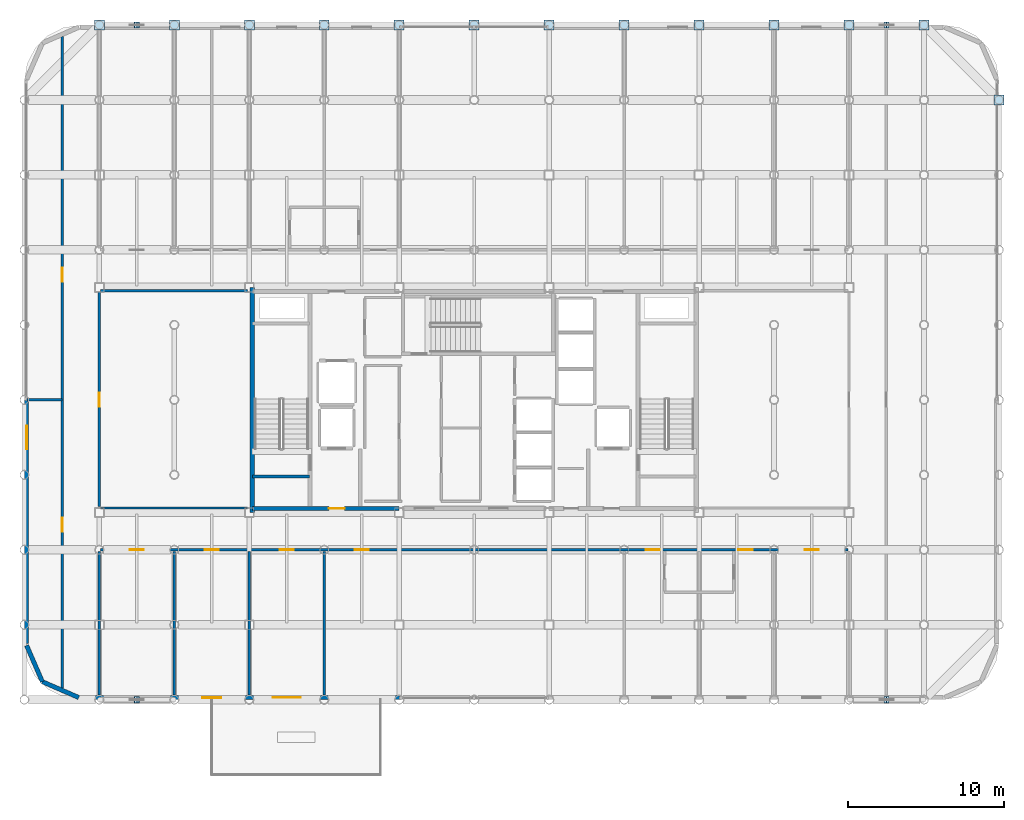
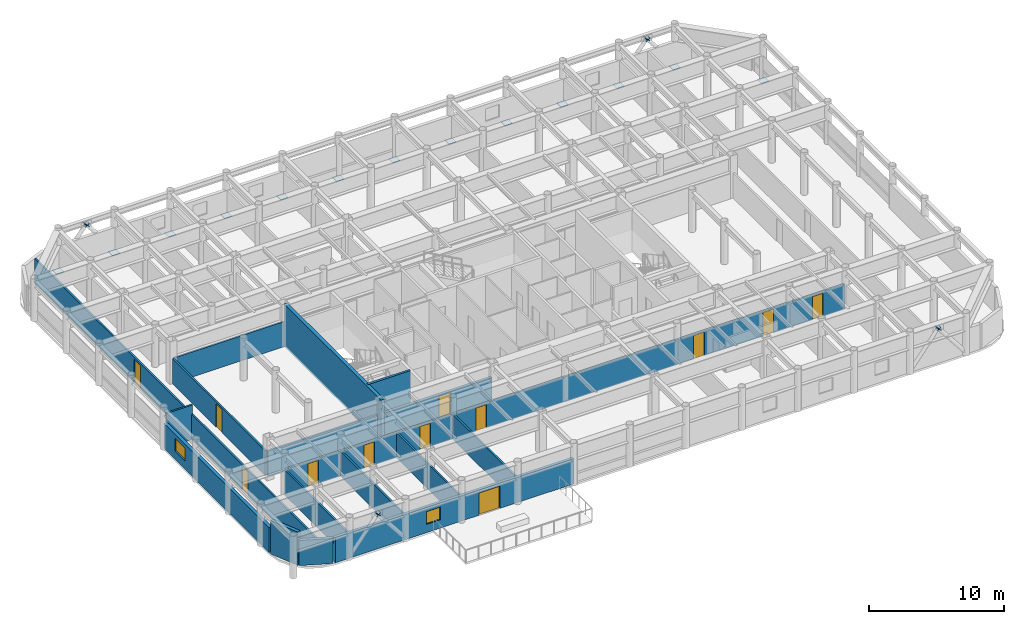
# One storey, part 20 of 26: 21 plates, 17 walls, 12 doors, 2 windows, 14 openings.
"""IFC4 building model written with IfcOpenShell, lengths in metres."""

from ifc_helpers import new_model, si_unit, direction, frame, frame_2d, origin, origin_2d, place, context, subcontext, project, spatial, polyline, rectangle, outline, extrude, material, layer, layer_set, type_object, element, fill, save


model = new_model("IFC4")

# Units and contexts
model_context = context("Model", 3, precision=1e-05, world=origin(), true_north=direction((0.0, 1.0)))
body_context = subcontext(model_context, "Body", "Model", "MODEL_VIEW")
ifc_project = project(units=[si_unit("LENGTHUNIT", "METRE"), si_unit("AREAUNIT", "SQUARE_METRE"), si_unit("VOLUMEUNIT", "CUBIC_METRE"), si_unit("PLANEANGLEUNIT", "RADIAN"), si_unit("MASSUNIT", "GRAM", prefix="KILO")], contexts=[model_context])

# Site, building, storey
site_placement = place(None, origin())
site = spatial("IfcSite", under=ifc_project, at=site_placement, CompositionType="ELEMENT")
building_placement = place(site_placement, origin())
building = spatial("IfcBuilding", under=site, at=building_placement, Name="Kallvorn Hotel Tower", CompositionType="ELEMENT")
storey_placement = place(building_placement, frame((0.0, 0.0, 222.300048828125)))
storey = spatial("IfcBuildingStorey", under=building, at=storey_placement, Name="L55", CompositionType="ELEMENT", Elevation=222.300048828125)

# Plates
ifc_material_1 = material(Name="Structural steel S355JR", Category="steel")
ifc_layer_1 = layer(ifc_material_1, 0.030029296875)
ifc_layer_set_1 = layer_set([ifc_layer_1], Name="PLT_CAP_30")
plate_type = type_object("IfcPlateType", Name="PLT_CAP_30", PredefinedType="SHEET", material=ifc_layer_set_1)
for number, where, z_axis, x_axis, name in (
    (1, (-24.0, 24.0, -0.2099609375), (0.0, 0.0, 1.0), (1.0, 0.0, 0.0), "L55 Hollow Column Base End Cap Plate 0256"),
    (2, (-19.199951171875, 24.0, -0.2099609375), (0.0, 0.0, 1.0), (1.0, 0.0, 0.0), "L55 Hollow Column Base End Cap Plate 0257"),
    (3, (-14.39990234375, 24.0, -0.2099609375), (0.0, 0.0, 1.0), (1.0, 0.0, 0.0), "L55 Hollow Column Base End Cap Plate 0258"),
    (4, (-9.60009765625, 24.0, -0.2099609375), (0.0, 0.0, 1.0), (1.0, 0.0, 0.0), "L55 Hollow Column Base End Cap Plate 0259"),
    (5, (-4.800048828125, 24.0, -0.2099609375), (0.0, 0.0, 1.0), (1.0, 0.0, 0.0), "L55 Hollow Column Base End Cap Plate 0260"),
    (6, (0.0, 24.0, -0.2099609375), (0.0, 0.0, 1.0), (1.0, 0.0, 0.0), "L55 Hollow Column Base End Cap Plate 0261"),
    (7, (4.800048828125, 24.0, -0.2099609375), (0.0, 0.0, 1.0), (1.0, 0.0, 0.0), "L55 Hollow Column Base End Cap Plate 0262"),
    (8, (9.60009765625, 24.0, -0.2099609375), (0.0, 0.0, 1.0), (1.0, 0.0, 0.0), "L55 Hollow Column Base End Cap Plate 0263"),
    (9, (14.39990234375, 24.0, -0.2099609375), (0.0, 0.0, 1.0), (1.0, 0.0, 0.0), "L55 Hollow Column Base End Cap Plate 0264"),
    (10, (19.199951171875, 24.0, -0.2099609375), (0.0, 0.0, 1.0), (1.0, 0.0, 0.0), "L55 Hollow Column Base End Cap Plate 0265"),
    (11, (24.0, 24.0, -0.2099609375), (0.0, 0.0, 1.0), (1.0, 0.0, 0.0), "L55 Hollow Column Base End Cap Plate 0266"),
    (12, (28.800048828125, 24.0, -0.2099609375), (0.0, 0.0, 1.0), (1.0, 0.0, 0.0), "L55 Hollow Column Base End Cap Plate 0267"),
    (13, (33.60009765625, 19.199951171875, -0.2099609375), (0.0, 0.0, 1.0), (1.0, 0.0, 0.0), "L55 Hollow Column Base End Cap Plate 0268"),
):
    element("IfcPlate", number, at=place(storey_placement, frame(where, z_axis=z_axis, x_axis=x_axis)), inside=storey, type_object=plate_type, Name=name, PredefinedType="SHEET", context=body_context, shape_type="SweptSolid", body=[
        extrude(rectangle(XDim=0.638916015625, YDim=0.638916015625, at=origin_2d()), origin(), (0.0, 0.0, 1.0), 0.030029296875),
    ])
plate_1_placement = place(storey_placement, frame((-21.435546875, -19.40185546875, 3.09228515625), z_axis=(0.621151664719, 0.0, 0.783690378541), x_axis=(0.0, 1.0, 0.0)))
element("IfcPlate", 14, at=plate_1_placement, inside=storey, type_object=plate_type, Name="EXO-L55-S1A End Cap Plate B", PredefinedType="SHEET", context=body_context, shape_type="SweptSolid", body=[
    extrude(outline(polyline([(0.0, 0.0), (0.40380859375, 0.0), (0.40380859375, 0.4040503740962029), (0.0, 0.4040503740962029), (0.0, 0.0)])), origin(), (0.0, 0.0, -1.0), 0.030029296875),
])
plate_2_placement = place(storey_placement, frame((-21.764404296875, -18.998046875, 3.09228515625), z_axis=(-0.621445895256, 0.0, 0.783457081957), x_axis=(0.0, -1.0, 0.0)))
element("IfcPlate", 15, at=plate_2_placement, inside=storey, type_object=plate_type, Name="EXO-L55-S1B End Cap Plate B", PredefinedType="SHEET", context=body_context, shape_type="SweptSolid", body=[
    extrude(outline(polyline([(0.0, 0.0), (0.40380859375, 0.0), (0.40380859375, 0.40385907190922293), (0.0, 0.40385907190922293), (0.0, 0.0)])), origin(), (0.0, 0.0, -1.0), 0.030029296875),
])
plate_3_placement = place(storey_placement, frame((26.564453125, -19.40185546875, 3.09228515625), z_axis=(0.621151664719, 0.0, 0.783690378541), x_axis=(0.0, 1.0, 0.0)))
element("IfcPlate", 16, at=plate_3_placement, inside=storey, type_object=plate_type, Name="EXO-L55-S2A End Cap Plate B", PredefinedType="SHEET", context=body_context, shape_type="SweptSolid", body=[
    extrude(outline(polyline([(0.0, 0.0), (0.40380859375, 0.0), (0.40380859375, 0.4040503740962029), (0.0, 0.4040503740962029), (0.0, 0.0)])), origin(), (0.0, 0.0, -1.0), 0.030029296875),
])
plate_4_placement = place(storey_placement, frame((26.235595703125, -18.998046875, 3.09228515625), z_axis=(-0.621445895256, 0.0, 0.783457081957), x_axis=(0.0, -1.0, 0.0)))
element("IfcPlate", 17, at=plate_4_placement, inside=storey, type_object=plate_type, Name="EXO-L55-S2B End Cap Plate B", PredefinedType="SHEET", context=body_context, shape_type="SweptSolid", body=[
    extrude(outline(polyline([(0.0, 0.0), (0.40380859375, 0.0), (0.40380859375, 0.40385907190922293), (0.0, 0.40385907190922293), (0.0, 0.0)])), origin(), (0.0, 0.0, -1.0), 0.030029296875),
])
plate_5_placement = place(storey_placement, frame((-21.435546875, 23.798095703125, 3.09228515625), z_axis=(0.621151664719, 0.0, 0.783690378541), x_axis=(0.0, 1.0, 0.0)))
element("IfcPlate", 18, at=plate_5_placement, inside=storey, type_object=plate_type, Name="EXO-L55-N1A End Cap Plate B", PredefinedType="SHEET", context=body_context, shape_type="SweptSolid", body=[
    extrude(outline(polyline([(0.0, 0.0), (0.40380859375, 0.0), (0.40380859375, 0.4040503740962029), (0.0, 0.4040503740962029), (0.0, 0.0)])), origin(), (0.0, 0.0, -1.0), 0.030029296875),
])
plate_6_placement = place(storey_placement, frame((-21.764404296875, 24.201904296875, 3.09228515625), z_axis=(-0.621445895256, 0.0, 0.783457081957), x_axis=(0.0, -1.0, 0.0)))
element("IfcPlate", 19, at=plate_6_placement, inside=storey, type_object=plate_type, Name="EXO-L55-N1B End Cap Plate B", PredefinedType="SHEET", context=body_context, shape_type="SweptSolid", body=[
    extrude(outline(polyline([(0.0, 0.0), (0.40380859375, 0.0), (0.40380859375, 0.40385907190922293), (0.0, 0.40385907190922293), (0.0, 0.0)])), origin(), (0.0, 0.0, -1.0), 0.030029296875),
])
plate_7_placement = place(storey_placement, frame((26.564453125, 23.798095703125, 3.09228515625), z_axis=(0.621151664719, 0.0, 0.783690378541), x_axis=(0.0, 1.0, 0.0)))
element("IfcPlate", 20, at=plate_7_placement, inside=storey, type_object=plate_type, Name="EXO-L55-N2A End Cap Plate B", PredefinedType="SHEET", context=body_context, shape_type="SweptSolid", body=[
    extrude(outline(polyline([(0.0, 0.0), (0.40380859375, 0.0), (0.40380859375, 0.4040503740962029), (0.0, 0.4040503740962029), (0.0, 0.0)])), origin(), (0.0, 0.0, -1.0), 0.030029296875),
])
plate_8_placement = place(storey_placement, frame((26.235595703125, 24.201904296875, 3.09228515625), z_axis=(-0.621445895256, 0.0, 0.783457081957), x_axis=(0.0, -1.0, 0.0)))
element("IfcPlate", 21, at=plate_8_placement, inside=storey, type_object=plate_type, Name="EXO-L55-N2B End Cap Plate B", PredefinedType="SHEET", context=body_context, shape_type="SweptSolid", body=[
    extrude(outline(polyline([(0.0, 0.0), (0.40380859375, 0.0), (0.40380859375, 0.40385907190922293), (0.0, 0.40385907190922293), (0.0, 0.0)])), origin(), (0.0, 0.0, -1.0), 0.030029296875),
])

# Wall
ifc_material_2 = material(Name="Concrete C50/60", Category="concrete")
ifc_layer_2 = layer(ifc_material_2, 0.300048828125)
ifc_layer_set_2 = layer_set([ifc_layer_2], Name="WL_CORE_300")
wall_type_1 = type_object("IfcWallType", Name="WL_CORE_300", PredefinedType="SHEAR", material=ifc_layer_set_2)
wall_1_placement = place(storey_placement, frame((-14.215087890625, -7.199951171875, -0.179931640625), z_axis=(0.0, 0.0, 1.0), x_axis=(0.0, 1.0, 0.0)))
element("IfcWall", 22, at=wall_1_placement, inside=storey, type_object=wall_type_1, Name="L55 Core West Shear Wall", PredefinedType="SHEAR", context=body_context, shape_type="SweptSolid", body=[
    extrude(rectangle(XDim=14.39990234375, YDim=0.300048828125, at=frame_2d((7.199951171875, 0.0))), origin(), (0.0, 0.0, 1.0), 3.849853515625),
])

# Wall, openings, doors
ifc_material_3 = material(Name="Fire-rated double-layer acoustic gypsum drywall EI 60")
ifc_layer_3 = layer(ifc_material_3, 0.159912109375)
ifc_layer_set_3 = layer_set([ifc_layer_3], Name="WL_DEMISE_160")
wall_type_2 = type_object("IfcWallType", Name="WL_DEMISE_160", PredefinedType="PARTITIONING", material=ifc_layer_set_3)
wall_2_placement = place(storey_placement, frame((-23.919921875, -9.60009765625, 0.0), z_axis=(0.0, 0.0, 1.0), x_axis=(1.0, 0.0, 0.0)))
wall_2 = element("IfcWall", 23, at=wall_2_placement, inside=storey, type_object=wall_type_2, Name="L55 Suite 5501 Superior Twin Room Partition", PredefinedType="PARTITIONING", context=body_context, shape_type="SweptSolid", body=[
    extrude(rectangle(XDim=47.83984375, YDim=0.159912109375, at=frame_2d((23.919921875, 0.0))), origin(), (0.0, 0.0, 1.0), 2.27001953125),
])
opening_1_placement = place(wall_2_placement, frame((1.8701171875, 0.0, 0.0)))
opening_1 = element("IfcOpeningElement", 24, at=opening_1_placement, cuts=wall_2, Name="Opening SVD1", PredefinedType="OPENING", context=body_context, shape_type="SweptSolid", body=[
    extrude(rectangle(XDim=0.89990234375, YDim=2.10009765625, at=frame_2d((0.449951171875, 1.050048828125))), frame((0.0, 0.094970703125, 0.0), z_axis=(0.0, -1.0, 0.0), x_axis=(1.0, 0.0, 0.0)), (0.0, 0.0, 1.0), 0.18994140625),
])
opening_2_placement = place(wall_2_placement, frame((45.070068359375, 0.0, 0.0)))
opening_2 = element("IfcOpeningElement", 25, at=opening_2_placement, cuts=wall_2, Name="Opening SVD1", PredefinedType="OPENING", context=body_context, shape_type="SweptSolid", body=[
    extrude(rectangle(XDim=0.89990234375, YDim=2.10009765625, at=frame_2d((0.449951171875, 1.050048828125))), frame((0.0, 0.094970703125, 0.0), z_axis=(0.0, -1.0, 0.0), x_axis=(1.0, 0.0, 0.0)), (0.0, 0.0, 1.0), 0.18994140625),
])
opening_3_placement = place(wall_2_placement, frame((6.669921875, 0.0, 0.0)))
opening_3 = element("IfcOpeningElement", 26, at=opening_3_placement, cuts=wall_2, Name="Opening SVD1", PredefinedType="OPENING", context=body_context, shape_type="SweptSolid", body=[
    extrude(rectangle(XDim=0.89990234375, YDim=2.10009765625, at=frame_2d((0.449951171875, 1.050048828125))), frame((0.0, 0.094970703125, 0.0), z_axis=(0.0, -1.0, 0.0), x_axis=(1.0, 0.0, 0.0)), (0.0, 0.0, 1.0), 0.18994140625),
])
opening_4_placement = place(wall_2_placement, frame((11.469970703125, 0.0, 0.0)))
opening_4 = element("IfcOpeningElement", 27, at=opening_4_placement, cuts=wall_2, Name="Opening SVD1", PredefinedType="OPENING", context=body_context, shape_type="SweptSolid", body=[
    extrude(rectangle(XDim=0.89990234375, YDim=2.10009765625, at=frame_2d((0.449951171875, 1.050048828125))), frame((0.0, 0.094970703125, 0.0), z_axis=(0.0, -1.0, 0.0), x_axis=(1.0, 0.0, 0.0)), (0.0, 0.0, 1.0), 0.18994140625),
])
opening_5_placement = place(wall_2_placement, frame((16.27001953125, 0.0, 0.0)))
opening_5 = element("IfcOpeningElement", 28, at=opening_5_placement, cuts=wall_2, Name="Opening SVD1", PredefinedType="OPENING", context=body_context, shape_type="SweptSolid", body=[
    extrude(rectangle(XDim=0.89990234375, YDim=2.10009765625, at=frame_2d((0.449951171875, 1.050048828125))), frame((0.0, 0.094970703125, 0.0), z_axis=(0.0, -1.0, 0.0), x_axis=(1.0, 0.0, 0.0)), (0.0, 0.0, 1.0), 0.18994140625),
])
opening_6_placement = place(wall_2_placement, frame((34.889892578125, 0.0, 0.0)))
opening_6 = element("IfcOpeningElement", 29, at=opening_6_placement, cuts=wall_2, Name="Opening GD1", PredefinedType="OPENING", context=body_context, shape_type="SweptSolid", body=[
    extrude(rectangle(XDim=0.919921875, YDim=2.14990234375, at=frame_2d((0.4599609375, 1.074951171875))), frame((0.0, 0.094970703125, 0.0), z_axis=(0.0, -1.0, 0.0), x_axis=(1.0, 0.0, 0.0)), (0.0, 0.0, 1.0), 0.18994140625),
])
opening_7_placement = place(wall_2_placement, frame((40.830078125, 0.0, 0.0)))
opening_7 = element("IfcOpeningElement", 30, at=opening_7_placement, cuts=wall_2, Name="Opening GD1", PredefinedType="OPENING", context=body_context, shape_type="SweptSolid", body=[
    extrude(rectangle(XDim=0.919921875, YDim=2.14990234375, at=frame_2d((0.4599609375, 1.074951171875))), frame((0.0, 0.094970703125, 0.0), z_axis=(0.0, -1.0, 0.0), x_axis=(1.0, 0.0, 0.0)), (0.0, 0.0, 1.0), 0.18994140625),
])
ifc_material_4 = material(Name="Solid-core walnut veneer fire-rated timber door leaf", Category="wood")
door_type_1 = type_object("IfcDoorType", Name="DR_GUEST_920x2150", OperationType="NOTDEFINED", PredefinedType="DOOR", material=ifc_material_4)
door_1_placement = place(opening_6_placement, origin())
door_1 = element("IfcDoor", 31, at=door_1_placement, inside=storey, type_object=door_type_1, Name="L55 Suite 5501 Superior Twin Room Door", OperationType="SINGLE_SWING_RIGHT", OverallHeight=2.14990234375, OverallWidth=0.919921875, PredefinedType="DOOR", context=body_context, shape_type="SweptSolid", body=[
    extrude(rectangle(XDim=0.919921875, YDim=2.14990234375, at=frame_2d((0.4599609375, 1.074951171875))), frame((0.0, 0.02490234375, 0.0), z_axis=(0.0, -1.0, 0.0), x_axis=(1.0, 0.0, 0.0)), (0.0, 0.0, 1.0), 0.050048828125),
])
fill(opening_6, door_1)
door_2_placement = place(opening_7_placement, origin())
door_2 = element("IfcDoor", 32, at=door_2_placement, inside=storey, type_object=door_type_1, Name="L55 Suite 5502 Superior Twin Room Door", OperationType="SINGLE_SWING_RIGHT", OverallHeight=2.14990234375, OverallWidth=0.919921875, PredefinedType="DOOR", context=body_context, shape_type="SweptSolid", body=[
    extrude(rectangle(XDim=0.919921875, YDim=2.14990234375, at=frame_2d((0.4599609375, 1.074951171875))), frame((0.0, 0.02490234375, 0.0), z_axis=(0.0, -1.0, 0.0), x_axis=(1.0, 0.0, 0.0)), (0.0, 0.0, 1.0), 0.050048828125),
])
fill(opening_7, door_2)
ifc_material_5 = material(Name="Galvanised painted steel fire-rated door assembly", Category="steel")
door_type_2 = type_object("IfcDoorType", Name="DR_SERV_900x2100", OperationType="NOTDEFINED", PredefinedType="DOOR", material=ifc_material_5)
door_3_placement = place(opening_1_placement, origin())
door_3 = element("IfcDoor", 33, at=door_3_placement, inside=storey, type_object=door_type_2, Name="L55 L55 High-Zone South-West Tea Bar Door", OperationType="SINGLE_SWING_LEFT", OverallHeight=2.10009765625, OverallWidth=0.89990234375, PredefinedType="DOOR", context=body_context, shape_type="SweptSolid", body=[
    extrude(rectangle(XDim=0.89990234375, YDim=2.10009765625, at=frame_2d((0.449951171875, 1.050048828125))), frame((0.0, 0.02490234375, 0.0), z_axis=(0.0, -1.0, 0.0), x_axis=(1.0, 0.0, 0.0)), (0.0, 0.0, 1.0), 0.050048828125),
])
fill(opening_1, door_3)
door_4_placement = place(opening_2_placement, origin())
door_4 = element("IfcDoor", 34, at=door_4_placement, inside=storey, type_object=door_type_2, Name="L55 L55 High-Zone South-East Wine Bar Door", OperationType="SINGLE_SWING_RIGHT", OverallHeight=2.10009765625, OverallWidth=0.89990234375, PredefinedType="DOOR", context=body_context, shape_type="SweptSolid", body=[
    extrude(rectangle(XDim=0.89990234375, YDim=2.10009765625, at=frame_2d((0.449951171875, 1.050048828125))), frame((0.0, 0.02490234375, 0.0), z_axis=(0.0, -1.0, 0.0), x_axis=(1.0, 0.0, 0.0)), (0.0, 0.0, 1.0), 0.050048828125),
])
fill(opening_2, door_4)
door_5_placement = place(opening_3_placement, origin())
door_5 = element("IfcDoor", 35, at=door_5_placement, inside=storey, type_object=door_type_2, Name="L55 L55 Thermal Hydrotherapy Treatment Suite 1-1 Door", OperationType="SINGLE_SWING_LEFT", OverallHeight=2.10009765625, OverallWidth=0.89990234375, PredefinedType="DOOR", context=body_context, shape_type="SweptSolid", body=[
    extrude(rectangle(XDim=0.89990234375, YDim=2.10009765625, at=frame_2d((0.449951171875, 1.050048828125))), frame((0.0, 0.02490234375, 0.0), z_axis=(0.0, -1.0, 0.0), x_axis=(1.0, 0.0, 0.0)), (0.0, 0.0, 1.0), 0.050048828125),
])
fill(opening_3, door_5)
door_6_placement = place(opening_4_placement, origin())
door_6 = element("IfcDoor", 36, at=door_6_placement, inside=storey, type_object=door_type_2, Name="L55 L55 Thermal Hydrotherapy Treatment Suite 1-2 Door", OperationType="SINGLE_SWING_LEFT", OverallHeight=2.10009765625, OverallWidth=0.89990234375, PredefinedType="DOOR", context=body_context, shape_type="SweptSolid", body=[
    extrude(rectangle(XDim=0.89990234375, YDim=2.10009765625, at=frame_2d((0.449951171875, 1.050048828125))), frame((0.0, 0.02490234375, 0.0), z_axis=(0.0, -1.0, 0.0), x_axis=(1.0, 0.0, 0.0)), (0.0, 0.0, 1.0), 0.050048828125),
])
fill(opening_4, door_6)
door_7_placement = place(opening_5_placement, origin())
door_7 = element("IfcDoor", 37, at=door_7_placement, inside=storey, type_object=door_type_2, Name="L55 L55 Panoramic Club Sky Lounge 2 Door", OperationType="SINGLE_SWING_RIGHT", OverallHeight=2.10009765625, OverallWidth=0.89990234375, PredefinedType="DOOR", context=body_context, shape_type="SweptSolid", body=[
    extrude(rectangle(XDim=0.89990234375, YDim=2.10009765625, at=frame_2d((0.449951171875, 1.050048828125))), frame((0.0, 0.02490234375, 0.0), z_axis=(0.0, -1.0, 0.0), x_axis=(1.0, 0.0, 0.0)), (0.0, 0.0, 1.0), 0.050048828125),
])
fill(opening_5, door_7)

# Walls
ifc_material_6 = material(Name="Precast basalt-clad insulated concrete wall C40/50", Category="masonry")
ifc_layer_4 = layer(ifc_material_6, 0.280029296875)
ifc_layer_set_4 = layer_set([ifc_layer_4], Name="WL_EXT_LOGGIA_280")
wall_type_3 = type_object("IfcWallType", Name="WL_EXT_LOGGIA_280", PredefinedType="SOLIDWALL", material=ifc_layer_set_4)
wall_3_placement = place(storey_placement, frame((-28.657958984375, -15.720703125, 0.0), z_axis=(0.0, 0.0, 1.0), x_axis=(0.398792985289, -0.917040977756, 0.0)))
element("IfcWall", 38, at=wall_3_placement, inside=storey, type_object=wall_type_3, Name="L55 Rounded Corner Exterior Wall SW1", PredefinedType="SOLIDWALL", context=body_context, shape_type="SweptSolid", body=[
    extrude(rectangle(XDim=2.536376953125, YDim=0.280029296875, at=frame_2d((1.26806640625, 0.0))), origin(), (0.0, 0.0, 1.0), 3.02001953125),
])
wall_4_placement = place(storey_placement, frame((-27.646484375, -18.046630859375, 0.0), z_axis=(0.0, 0.0, 1.0), x_axis=(0.917060872934, -0.398747232384, 0.0)))
element("IfcWall", 39, at=wall_4_placement, inside=storey, type_object=wall_type_3, Name="L55 Rounded Corner Exterior Wall SW2", PredefinedType="SOLIDWALL", context=body_context, shape_type="SweptSolid", body=[
    extrude(rectangle(XDim=2.5361328125, YDim=0.280029296875, at=frame_2d((1.26806640625, 0.0))), origin(), (0.0, 0.0, 1.0), 2.27001953125),
])

# Wall, openings, door, window
wall_5_placement = place(storey_placement, frame((-25.199951171875, -19.06005859375, 0.0), z_axis=(0.0, 0.0, 1.0), x_axis=(1.0, 0.0, 0.0)))
wall_5 = element("IfcWall", 40, at=wall_5_placement, inside=storey, type_object=wall_type_3, Name="L55 Exterior Envelope Wall EW-L55-SW", PredefinedType="SOLIDWALL", context=body_context, shape_type="SweptSolid", body=[
    extrude(rectangle(XDim=20.449951171875, YDim=0.280029296875, at=frame_2d((10.22509765625, 0.0))), origin(), (0.0, 0.0, 1.0), 2.27001953125),
])
opening_8_placement = place(wall_5_placement, frame((12.300048828125, 0.0, 0.0)))
opening_8 = element("IfcOpeningElement", 41, at=opening_8_placement, cuts=wall_5, Name="Opening TD2A", PredefinedType="OPENING", context=body_context, shape_type="SweptSolid", body=[
    extrude(rectangle(XDim=1.800048828125, YDim=2.02001953125, at=frame_2d((0.89990234375, 1.010009765625))), frame((0.0, 0.155029296875, 0.0), z_axis=(0.0, -1.0, 0.0), x_axis=(1.0, 0.0, 0.0)), (0.0, 0.0, 1.0), 0.31005859375),
])
opening_9_placement = place(wall_5_placement, frame((7.800048828125, 0.0, 0.75)))
opening_9 = element("IfcOpeningElement", 42, at=opening_9_placement, cuts=wall_5, Name="Opening W06A", PredefinedType="OPENING", context=body_context, shape_type="SweptSolid", body=[
    extrude(rectangle(XDim=1.199951171875, YDim=1.14990234375, at=frame_2d((0.60009765625, 0.574951171875))), frame((0.0, 0.155029296875, 0.0), z_axis=(0.0, -1.0, 0.0), x_axis=(1.0, 0.0, 0.0)), (0.0, 0.0, 1.0), 0.31005859375),
])
ifc_material_7 = material(Name="Double-glazed low-e solar-control dark glass", Category="glass")
door_type_3 = type_object("IfcDoorType", Name="DR_TERR_TOW_1800x2020", OperationType="DOUBLE_DOOR_SINGLE_SWING", PredefinedType="DOOR", material=ifc_material_7)
door_8_placement = place(opening_8_placement, origin())
door_8 = element("IfcDoor", 43, at=door_8_placement, inside=storey, type_object=door_type_3, Name="L55 Step-Off Terrace Glazed Door 1", OperationType="DOUBLE_DOOR_SINGLE_SWING", OverallHeight=2.02001953125, OverallWidth=1.800048828125, PredefinedType="DOOR", context=body_context, shape_type="SweptSolid", body=[
    extrude(rectangle(XDim=1.800048828125, YDim=2.02001953125, at=frame_2d((0.89990234375, 1.010009765625))), frame((0.0, 0.02490234375, 0.0), z_axis=(0.0, -1.0, 0.0), x_axis=(1.0, 0.0, 0.0)), (0.0, 0.0, 1.0), 0.050048828125),
])
fill(opening_8, door_8)
ifc_material_8 = material(Name="Triple-glazed low-e acoustic solar-control dark glass", Category="glass")
window_type_1 = type_object("IfcWindowType", Name="WN_HTL_1200x1150", PartitioningType="SINGLE_PANEL", PredefinedType="WINDOW", material=ifc_material_8)
window_1_placement = place(opening_9_placement, origin())
window_1 = element("IfcWindow", 44, at=window_1_placement, inside=storey, type_object=window_type_1, Name="L55 Guestroom Exterior Window 04", OverallHeight=1.14990234375, OverallWidth=1.199951171875, PartitioningType="SINGLE_PANEL", PredefinedType="WINDOW", context=body_context, shape_type="SweptSolid", body=[
    extrude(rectangle(XDim=1.199951171875, YDim=1.14990234375, at=frame_2d((0.60009765625, 0.574951171875))), frame((0.0, 0.030029296875, 0.0), z_axis=(0.0, -1.0, 0.0), x_axis=(1.0, 0.0, 0.0)), (0.0, 0.0, 1.0), 0.06005859375),
])
fill(opening_9, window_1)

# Wall, opening, window
wall_6_placement = place(storey_placement, frame((-28.659912109375, -15.60009765625, 0.0), z_axis=(0.0, 0.0, 1.0), x_axis=(0.0, 1.0, 0.0)))
wall_6 = element("IfcWall", 45, at=wall_6_placement, inside=storey, type_object=wall_type_3, Name="L55 Exterior Envelope Wall EW-L55-WS", PredefinedType="SOLIDWALL", context=body_context, shape_type="SweptSolid", body=[
    extrude(rectangle(XDim=15.580078125, YDim=0.280029296875, at=frame_2d((7.7900390625, 0.0))), origin(), (0.0, 0.0, 1.0), 2.27001953125),
])
opening_10_placement = place(wall_6_placement, frame((12.449951171875, 0.0, 0.75)))
opening_10 = element("IfcOpeningElement", 46, at=opening_10_placement, cuts=wall_6, Name="Opening W05A", PredefinedType="OPENING", context=body_context, shape_type="SweptSolid", body=[
    extrude(rectangle(XDim=1.5, YDim=1.14990234375, at=frame_2d((0.75, 0.574951171875))), frame((0.0, 0.155029296875, 0.0), z_axis=(0.0, -1.0, 0.0), x_axis=(1.0, 0.0, 0.0)), (0.0, 0.0, 1.0), 0.31005859375),
])
ifc_material_9 = material(Name="Double-glazed low-e solar-control dark glass", Category="glass")
window_type_2 = type_object("IfcWindowType", Name="WN_HTL_1500x1150", PartitioningType="SINGLE_PANEL", PredefinedType="WINDOW", material=ifc_material_9)
window_2_placement = place(opening_10_placement, origin())
window_2 = element("IfcWindow", 47, at=window_2_placement, inside=storey, type_object=window_type_2, Name="L55 Flank Wing Window 03", OverallHeight=1.14990234375, OverallWidth=1.5, PartitioningType="SINGLE_PANEL", PredefinedType="WINDOW", context=body_context, shape_type="SweptSolid", body=[
    extrude(rectangle(XDim=1.5, YDim=1.14990234375, at=frame_2d((0.75, 0.574951171875))), frame((0.0, 0.030029296875, 0.0), z_axis=(0.0, -1.0, 0.0), x_axis=(1.0, 0.0, 0.0)), (0.0, 0.0, 1.0), 0.06005859375),
])
fill(opening_10, window_2)

# Walls
ifc_material_10 = material(Name="Concrete C40/50", Category="concrete")
ifc_layer_5 = layer(ifc_material_10, 0.199951171875)
ifc_layer_set_5 = layer_set([ifc_layer_5], Name="WL_HOIST_200")
wall_type_4 = type_object("IfcWallType", Name="WL_HOIST_200", PredefinedType="SOLIDWALL", material=ifc_layer_set_5)
wall_7_placement = place(storey_placement, frame((-14.199951171875, -4.89990234375, -0.179931640625), z_axis=(0.0, 0.0, 1.0), x_axis=(1.0, 0.0, 0.0)))
element("IfcWall", 48, at=wall_7_placement, inside=storey, type_object=wall_type_4, Name="L55 Stair ST1 South Wall", PredefinedType="SOLIDWALL", context=body_context, shape_type="SweptSolid", body=[
    extrude(rectangle(XDim=3.64990234375, YDim=0.199951171875, at=frame_2d((1.824951171875, 0.0))), origin(), (0.0, 0.0, 1.0), 3.849853515625),
])
ifc_material_11 = material(Name="Fire-rated double-layer acoustic gypsum drywall EI 60")
ifc_layer_6 = layer(ifc_material_11, 0.14990234375)
ifc_layer_set_6 = layer_set([ifc_layer_6], Name="WL_PART_150")
wall_type_5 = type_object("IfcWallType", Name="WL_PART_150", PredefinedType="PARTITIONING", material=ifc_layer_set_6)
wall_8_placement = place(storey_placement, frame((-23.919921875, -6.919921875, 0.0), z_axis=(0.0, 0.0, 1.0), x_axis=(1.0, 0.0, 0.0)))
element("IfcWall", 49, at=wall_8_placement, inside=storey, type_object=wall_type_5, Name="L55 L55 High-Zone Inner West Club Bar Partition", PredefinedType="PARTITIONING", context=body_context, shape_type="SweptSolid", body=[
    extrude(rectangle(XDim=9.39990234375, YDim=0.14990234375, at=frame_2d((4.699951171875, 0.0))), origin(), (0.0, 0.0, 1.0), 2.27001953125),
])
wall_9_placement = place(storey_placement, frame((-28.6298828125, 0.0, 0.0), z_axis=(0.0, 0.0, 1.0), x_axis=(1.0, 0.0, 0.0)))
element("IfcWall", 50, at=wall_9_placement, inside=storey, type_object=wall_type_5, Name="L55 L55 Outer West North Fitness Club Partition", PredefinedType="PARTITIONING", context=body_context, shape_type="SweptSolid", body=[
    extrude(rectangle(XDim=2.25, YDim=0.14990234375, at=frame_2d((1.125, 0.0))), origin(), (0.0, 0.0, 1.0), 3.119873046875),
])
wall_10_placement = place(storey_placement, frame((-23.919921875, 6.97998046875, 0.0), z_axis=(0.0, 0.0, 1.0), x_axis=(1.0, 0.0, 0.0)))
element("IfcWall", 51, at=wall_10_placement, inside=storey, type_object=wall_type_5, Name="L55 L55 High-Zone Inner West Club Bar Partition", PredefinedType="PARTITIONING", context=body_context, shape_type="SweptSolid", body=[
    extrude(rectangle(XDim=9.39990234375, YDim=0.14990234375, at=frame_2d((4.699951171875, 0.0))), origin(), (0.0, 0.0, 1.0), 2.27001953125),
])

# Wall, openings, doors
wall_11_placement = place(storey_placement, frame((-26.3798828125, -18.447265625, 0.0), z_axis=(0.0, 0.0, 1.0), x_axis=(0.0, 1.0, 0.0)))
wall_11 = element("IfcWall", 52, at=wall_11_placement, inside=storey, type_object=wall_type_5, Name="L55 L55 Outer West South Cocktail Bar Partition", PredefinedType="PARTITIONING", context=body_context, shape_type="SweptSolid", body=[
    extrude(rectangle(XDim=41.694580078125, YDim=0.14990234375, at=frame_2d((20.84716796875, 0.0))), origin(), (0.0, 0.0, 1.0), 2.27001953125),
])
opening_11_placement = place(wall_11_placement, frame((9.997314453125, 0.0, 0.0)))
opening_11 = element("IfcOpeningElement", 53, at=opening_11_placement, cuts=wall_11, Name="Opening SVD1", PredefinedType="OPENING", context=body_context, shape_type="SweptSolid", body=[
    extrude(rectangle(XDim=0.89990234375, YDim=2.10009765625, at=frame_2d((0.449951171875, 1.050048828125))), frame((0.0, 0.08984375, 0.0), z_axis=(0.0, -1.0, 0.0), x_axis=(1.0, 0.0, 0.0)), (0.0, 0.0, 1.0), 0.179931640625),
])
opening_12_placement = place(wall_11_placement, frame((25.997314453125, 0.0, 0.0)))
opening_12 = element("IfcOpeningElement", 54, at=opening_12_placement, cuts=wall_11, Name="Opening SVD1", PredefinedType="OPENING", context=body_context, shape_type="SweptSolid", body=[
    extrude(rectangle(XDim=0.89990234375, YDim=2.10009765625, at=frame_2d((0.449951171875, 1.050048828125))), frame((0.0, 0.08984375, 0.0), z_axis=(0.0, -1.0, 0.0), x_axis=(1.0, 0.0, 0.0)), (0.0, 0.0, 1.0), 0.179931640625),
])
door_9_placement = place(opening_11_placement, origin())
door_9 = element("IfcDoor", 55, at=door_9_placement, inside=storey, type_object=door_type_2, Name="L55 L55 Outer West South Cocktail Bar Door", OperationType="SINGLE_SWING_LEFT", OverallHeight=2.10009765625, OverallWidth=0.89990234375, PredefinedType="DOOR", context=body_context, shape_type="SweptSolid", body=[
    extrude(rectangle(XDim=0.89990234375, YDim=2.10009765625, at=frame_2d((0.449951171875, 1.050048828125))), frame((0.0, 0.02490234375, 0.0), z_axis=(0.0, -1.0, 0.0), x_axis=(1.0, 0.0, 0.0)), (0.0, 0.0, 1.0), 0.050048828125),
])
fill(opening_11, door_9)
door_10_placement = place(opening_12_placement, origin())
door_10 = element("IfcDoor", 56, at=door_10_placement, inside=storey, type_object=door_type_2, Name="L55 L55 Outer West North Fitness Club Door", OperationType="SINGLE_SWING_LEFT", OverallHeight=2.10009765625, OverallWidth=0.89990234375, PredefinedType="DOOR", context=body_context, shape_type="SweptSolid", body=[
    extrude(rectangle(XDim=0.89990234375, YDim=2.10009765625, at=frame_2d((0.449951171875, 1.050048828125))), frame((0.0, 0.02490234375, 0.0), z_axis=(0.0, -1.0, 0.0), x_axis=(1.0, 0.0, 0.0)), (0.0, 0.0, 1.0), 0.050048828125),
])
fill(opening_12, door_10)

# Wall
wall_12_placement = place(storey_placement, frame((-24.0, -18.909912109375, 0.0), z_axis=(0.0, 0.0, 1.0), x_axis=(0.0, 1.0, 0.0)))
element("IfcWall", 57, at=wall_12_placement, inside=storey, type_object=wall_type_5, Name="L55 L55 High-Zone South-West Tea Bar Partition", PredefinedType="PARTITIONING", context=body_context, shape_type="SweptSolid", body=[
    extrude(rectangle(XDim=9.18994140625, YDim=0.14990234375, at=frame_2d((4.594970703125, 0.0))), origin(), (0.0, 0.0, 1.0), 2.27001953125),
])

# Wall, opening, door
wall_13_placement = place(storey_placement, frame((-24.0, -6.8349609375, 0.0), z_axis=(0.0, 0.0, 1.0), x_axis=(0.0, 1.0, 0.0)))
wall_13 = element("IfcWall", 58, at=wall_13_placement, inside=storey, type_object=wall_type_5, Name="L55 L55 High-Zone Inner West Club Bar Partition", PredefinedType="PARTITIONING", context=body_context, shape_type="SweptSolid", body=[
    extrude(rectangle(XDim=13.72998046875, YDim=0.14990234375, at=frame_2d((6.864990234375, 0.0))), origin(), (0.0, 0.0, 1.0), 2.27001953125),
])
opening_13_placement = place(wall_13_placement, frame((6.385009765625, 0.0, 0.0)))
opening_13 = element("IfcOpeningElement", 59, at=opening_13_placement, cuts=wall_13, Name="Opening SVD1", PredefinedType="OPENING", context=body_context, shape_type="SweptSolid", body=[
    extrude(rectangle(XDim=0.89990234375, YDim=2.10009765625, at=frame_2d((0.449951171875, 1.050048828125))), frame((0.0, 0.08984375, 0.0), z_axis=(0.0, -1.0, 0.0), x_axis=(1.0, 0.0, 0.0)), (0.0, 0.0, 1.0), 0.179931640625),
])
door_11_placement = place(opening_13_placement, origin())
door_11 = element("IfcDoor", 60, at=door_11_placement, inside=storey, type_object=door_type_2, Name="L55 L55 High-Zone Inner West Club Bar Door", OperationType="SINGLE_SWING_RIGHT", OverallHeight=2.10009765625, OverallWidth=0.89990234375, PredefinedType="DOOR", context=body_context, shape_type="SweptSolid", body=[
    extrude(rectangle(XDim=0.89990234375, YDim=2.10009765625, at=frame_2d((0.449951171875, 1.050048828125))), frame((0.0, 0.02490234375, 0.0), z_axis=(0.0, -1.0, 0.0), x_axis=(1.0, 0.0, 0.0)), (0.0, 0.0, 1.0), 0.050048828125),
])
fill(opening_13, door_11)

# Walls
for number, where, z_axis, x_axis, name in (
    (61, (-19.199951171875, -18.909912109375, 0.0), (0.0, 0.0, 1.0), (0.0, 1.0, 0.0), "L55 L55 High-Zone South-West Tea Bar Partition"),
    (62, (-14.39990234375, -18.909912109375, 0.0), (0.0, 0.0, 1.0), (0.0, 1.0, 0.0), "L55 L55 Thermal Hydrotherapy Treatment Suite 1-1 Partition"),
    (63, (-9.60009765625, -18.909912109375, 0.0), (0.0, 0.0, 1.0), (0.0, 1.0, 0.0), "L55 L55 Panoramic Club Sky Lounge 2 Partition"),
):
    element("IfcWall", number, at=place(storey_placement, frame(where, z_axis=z_axis, x_axis=x_axis)), inside=storey, type_object=wall_type_5, Name=name, PredefinedType="PARTITIONING", context=body_context, shape_type="SweptSolid", body=[
        extrude(rectangle(XDim=9.18994140625, YDim=0.14990234375, at=frame_2d((4.594970703125, 0.0))), origin(), (0.0, 0.0, 1.0), 2.27001953125),
    ])

# Wall, opening, door
ifc_material_12 = material(Name="Concrete C40/50", Category="concrete")
ifc_layer_7 = layer(ifc_material_12, 0.25)
ifc_layer_set_7 = layer_set([ifc_layer_7], Name="WL_SHAFT_250")
wall_type_6 = type_object("IfcWallType", Name="WL_SHAFT_250", PredefinedType="SOLIDWALL", material=ifc_layer_set_7)
wall_14_placement = place(storey_placement, frame((-14.199951171875, -6.949951171875, 0.0), z_axis=(0.0, 0.0, 1.0), x_axis=(1.0, 0.0, 0.0)))
wall_14 = element("IfcWall", 64, at=wall_14_placement, inside=storey, type_object=wall_type_6, Name="L55 Core South-West Wall", PredefinedType="SOLIDWALL", context=body_context, shape_type="SweptSolid", body=[
    extrude(rectangle(XDim=9.39990234375, YDim=0.25, at=frame_2d((4.699951171875, 0.0))), origin(), (0.0, 0.0, 1.0), 2.27001953125),
])
opening_14_placement = place(wall_14_placement, frame((4.89990234375, 0.0, 0.0)))
opening_14 = element("IfcOpeningElement", 65, at=opening_14_placement, cuts=wall_14, Name="Opening FD1", PredefinedType="OPENING", context=body_context, shape_type="SweptSolid", body=[
    extrude(rectangle(XDim=1.0, YDim=2.14990234375, at=frame_2d((0.5, 1.074951171875))), frame((0.0, 0.139892578125, 0.0), z_axis=(0.0, -1.0, 0.0), x_axis=(1.0, 0.0, 0.0)), (0.0, 0.0, 1.0), 0.280029296875),
])
ifc_material_13 = material(Name="Galvanised painted steel fire-rated door assembly", Category="steel")
door_type_4 = type_object("IfcDoorType", Name="DR_FFL_1000x2150", OperationType="NOTDEFINED", PredefinedType="DOOR", material=ifc_material_13)
door_12_placement = place(opening_14_placement, origin())
door_12 = element("IfcDoor", 66, at=door_12_placement, inside=storey, type_object=door_type_4, Name="L55 Firefighting Lobby West Door", OperationType="SINGLE_SWING_RIGHT", OverallHeight=2.14990234375, OverallWidth=1.0, PredefinedType="DOOR", context=body_context, shape_type="SweptSolid", body=[
    extrude(rectangle(XDim=1.0, YDim=2.14990234375, at=frame_2d((0.5, 1.074951171875))), frame((0.0, 0.02490234375, 0.0), z_axis=(0.0, -1.0, 0.0), x_axis=(1.0, 0.0, 0.0)), (0.0, 0.0, 1.0), 0.050048828125),
])
fill(opening_14, door_12)

save(model, "model.ifc")
